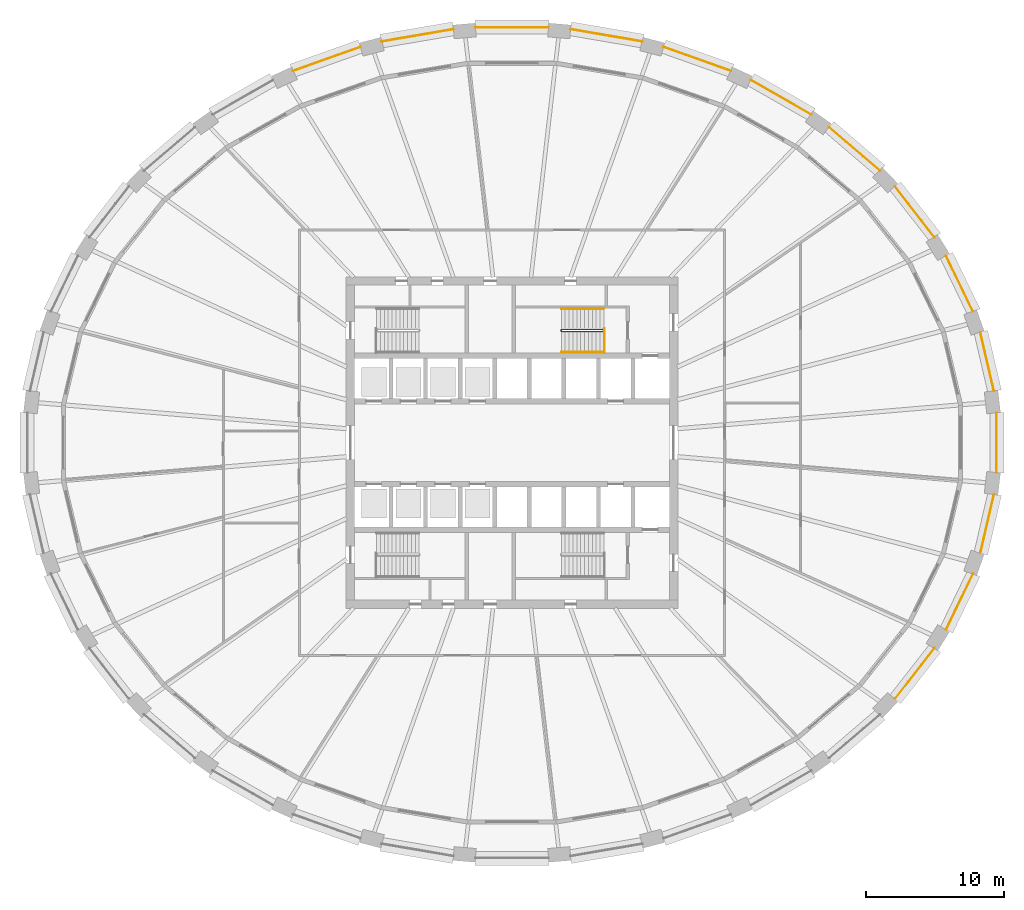
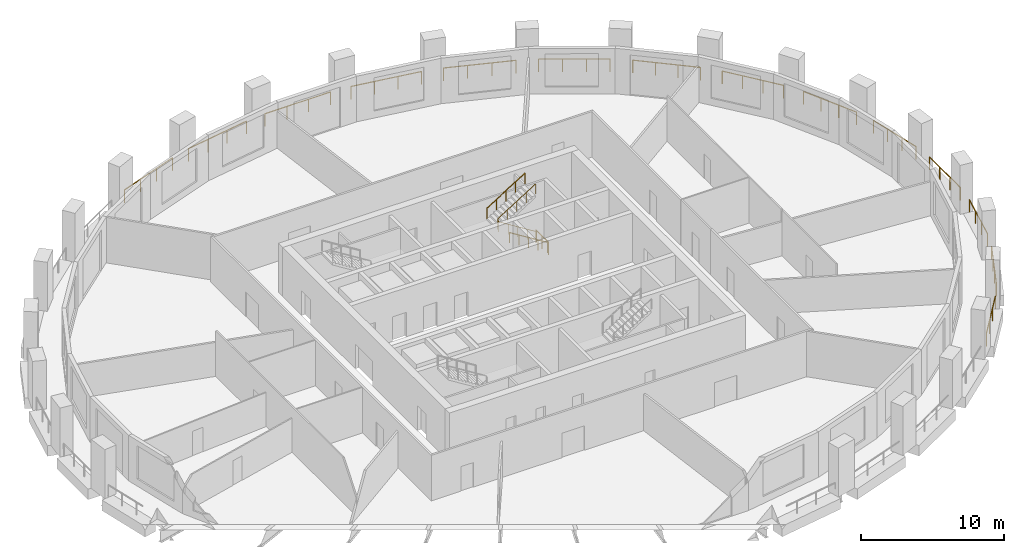
# One storey, part 9 of 10: 18 railings.
"""IFC4 building model written with IfcOpenShell, lengths in metres."""

import ifcopenshell
import ifcopenshell.guid

model = None  # the IFC model being written
_history = None  # IfcOwnerHistory: only IFC2X3 demands one
_inside = {}  # id of a spatial element -> (the spatial element, [elements in it])
_under = {}  # id of a project, library or spatial element -> (it, [spatial elements below it])
_declared = {}  # id of a project -> (the project, [libraries it declares])
_typed = {}  # id of a type object -> (the type object, [elements of that type])
_made_of = {}  # id of a material, layer set ... -> (it, [elements and type objects made of it])


def new_model(schema):
    """Start an empty IFC model of exactly this schema.

    Asked for "IFC4X3", IfcOpenShell would pick the latest addendum, in which some entities
    have other attributes; the version numbers below select the first issue.
    IFC2X3 requires an IfcOwnerHistory on every rooted entity: one is made here for all.
    """
    global model, _history
    if schema == "IFC4X3":
        model = ifcopenshell.file(schema_version=(4, 3, 0, 0))
    else:
        model = ifcopenshell.file(schema=schema)
    _inside.clear()
    _under.clear()
    _declared.clear()
    _typed.clear()
    _made_of.clear()
    _history = None
    if model.schema == "IFC2X3":
        org = make("IfcOrganization", Name="unknown")
        user = make(
            "IfcPersonAndOrganization",
            ThePerson=make("IfcPerson", FamilyName="unknown"),
            TheOrganization=org,
        )
        app = make(
            "IfcApplication",
            ApplicationDeveloper=org,
            Version="unknown",
            ApplicationFullName="unknown",
            ApplicationIdentifier="unknown",
        )
        _history = make(
            "IfcOwnerHistory",
            OwningUser=user,
            OwningApplication=app,
            ChangeAction="ADDED",
            CreationDate=0,
        )
    return model


def make(cls, **values):
    """One entity of the class cls with the attributes given. An attribute that is None is left unset."""
    return model.create_entity(
        cls, **{name: value for name, value in values.items() if value is not None}
    )


def rooted(cls, **values):
    """An entity with a GlobalId (a new one), such as an element, a storey or a relation."""
    return make(cls, GlobalId=ifcopenshell.guid.new(), OwnerHistory=_history, **values)


def si_unit(unit_type, name, prefix=None):
    """IfcSIUnit, for example si_unit("LENGTHUNIT", "METRE", prefix="MILLI")."""
    return make("IfcSIUnit", UnitType=unit_type, Prefix=prefix, Name=name)


def assignment(units):
    """IfcUnitAssignment: the units of a project."""
    return None if units is None else make("IfcUnitAssignment", Units=units)


def point(xyz):
    """IfcCartesianPoint."""
    return None if xyz is None else make("IfcCartesianPoint", Coordinates=xyz)


def direction(xyz):
    """IfcDirection."""
    return None if xyz is None else make("IfcDirection", DirectionRatios=xyz)


def frame(location, z_axis=None, x_axis=None):
    """IfcAxis2Placement3D, a coordinate frame: its origin and axes. An axis left out is left unset."""
    return make(
        "IfcAxis2Placement3D",
        Location=point(location),
        Axis=direction(z_axis),
        RefDirection=direction(x_axis),
    )


def frame_2d(location, x_axis=None):
    """IfcAxis2Placement2D, a coordinate frame in the plane: its origin and x axis."""
    return make(
        "IfcAxis2Placement2D", Location=point(location), RefDirection=direction(x_axis)
    )


def origin():
    """The frame at (0, 0, 0) with its axes left unset."""
    return frame((0.0, 0.0, 0.0))


def origin_2d():
    """The frame at (0, 0) in the plane with its x axis left unset."""
    return frame_2d((0.0, 0.0))


def place(relative_to, where):
    """IfcLocalPlacement: puts the frame where relative to a parent placement (None: the world)."""
    return make(
        "IfcLocalPlacement", PlacementRelTo=relative_to, RelativePlacement=where
    )


def context(
    kind, dimensions, precision=None, world=None, true_north=None, identifier=None
):
    """IfcGeometricRepresentationContext, for example the 3D "Model" context."""
    return make(
        "IfcGeometricRepresentationContext",
        ContextIdentifier=identifier,
        ContextType=kind,
        CoordinateSpaceDimension=dimensions,
        Precision=precision,
        WorldCoordinateSystem=world,
        TrueNorth=true_north,
    )


def subcontext(parent, identifier, kind, view, scale=None):
    """IfcGeometricRepresentationSubContext, for example "Body" below "Model"."""
    return make(
        "IfcGeometricRepresentationSubContext",
        ContextIdentifier=identifier,
        ContextType=kind,
        ParentContext=parent,
        TargetScale=scale,
        TargetView=view,
    )


def project(units=None, contexts=None):
    """IfcProject with its units and contexts."""
    return rooted(
        "IfcProject",
        Name="project",
        RepresentationContexts=contexts,
        UnitsInContext=assignment(units),
    )


def spatial(cls, under=None, at=None, **own):
    """A site, building, storey or space (cls), placed at a placement, below another one or the project."""
    s = rooted(cls, ObjectPlacement=at, **own)
    if under is not None:
        _under.setdefault(under.id(), (under, []))[1].append(s)
    return s


def profile(cls, at=None, kind="AREA", **sizes):
    """A parametric profile (cls). Its sizes go by their IFC names, for example OverallWidth=200.0."""
    return make(cls, ProfileType=kind, Position=at, **sizes)


def circle(**sizes):
    """IfcCircleProfileDef."""
    return profile("IfcCircleProfileDef", **sizes)


def extrude(swept, where, along, depth):
    """IfcExtrudedAreaSolid: the profile swept, set in the frame where, extruded along a direction by depth."""
    return make(
        "IfcExtrudedAreaSolid",
        SweptArea=swept,
        Position=where,
        ExtrudedDirection=direction(along),
        Depth=depth,
    )


def shape(context_of_items, identifier, shape_type, items):
    """IfcShapeRepresentation: the items that make up one representation, for example the "Body"."""
    return make(
        "IfcShapeRepresentation",
        ContextOfItems=context_of_items,
        RepresentationIdentifier=identifier,
        RepresentationType=shape_type,
        Items=items,
    )


def material(Name=None, Category=None):
    """IfcMaterial."""
    return make("IfcMaterial", Name=Name, Category=Category)


def made_of(thing, what):
    """Note that an element or type object is made of a material, layer set ...; save() writes the relation."""
    if what is not None:
        _made_of.setdefault(what.id(), (what, []))[1].append(thing)
    return thing


def type_object(cls, material=None, **own):
    """A type object (cls), such as IfcWallType, which elements share."""
    return made_of(rooted(cls, **own), material)


def element(
    cls,
    number,
    at=None,
    inside=None,
    cuts=None,
    type_object=None,
    material=None,
    context=None,
    identifier="Body",
    shape_type=None,
    held_by="IfcProductDefinitionShape",
    body=None,
    shapes=None,
    **own,
):
    """One element of the class cls, such as IfcWall. Its Tag is "e" and its number.

    at: its placement. inside: the storey or other place that contains it. cuts: it is an
    opening in that element (IfcRelVoidsElement). A single representation is given by context,
    identifier, shape_type and body (its items); several are given by shapes. held_by: the class
    of the entity that holds the representations. save() writes the other relations.
    """
    e = rooted(cls, Tag="e%d" % number, ObjectPlacement=at, **own)
    if body is not None:
        shapes = [shape(context, identifier, shape_type, body)]
    if shapes is not None:
        e.Representation = make(held_by, Representations=shapes)
    if inside is not None:
        _inside.setdefault(inside.id(), (inside, []))[1].append(e)
    if cuts is not None:
        rooted(
            "IfcRelVoidsElement", RelatingBuildingElement=cuts, RelatedOpeningElement=e
        )
    if type_object is not None:
        _typed.setdefault(type_object.id(), (type_object, []))[1].append(e)
    return made_of(e, material)


def aggregate(whole, parts):
    """IfcRelAggregates: a whole, such as a stair, and the parts it consists of."""
    return rooted("IfcRelAggregates", RelatingObject=whole, RelatedObjects=parts)


def save(model, path):
    """Write the relations noted so far, then the file.

    IfcRelAggregates (storeys below a building ...), IfcRelContainedInSpatialStructure (elements
    in a storey), IfcRelDefinesByType, IfcRelAssociatesMaterial and IfcRelDeclares: one each for
    every whole, place, type object, material and project.
    """
    for whole, parts in _under.values():
        aggregate(whole, parts)
    for where, things in _inside.values():
        rooted(
            "IfcRelContainedInSpatialStructure",
            RelatedElements=things,
            RelatingStructure=where,
        )
    for kind, things in _typed.values():
        rooted("IfcRelDefinesByType", RelatedObjects=things, RelatingType=kind)
    for what, things in _made_of.values():
        rooted("IfcRelAssociatesMaterial", RelatedObjects=things, RelatingMaterial=what)
    for by, libraries in _declared.values():
        rooted("IfcRelDeclares", RelatingContext=by, RelatedDefinitions=libraries)
    model.write(path)


model = new_model("IFC4")

# Units and contexts
model_context = context("Model", 3, precision=1e-05, world=origin(), true_north=direction((0.0, 1.0)))
body_context = subcontext(model_context, "Body", "Model", "MODEL_VIEW")
ifc_project = project(units=[si_unit("LENGTHUNIT", "METRE"), si_unit("AREAUNIT", "SQUARE_METRE"), si_unit("VOLUMEUNIT", "CUBIC_METRE"), si_unit("PLANEANGLEUNIT", "RADIAN"), si_unit("MASSUNIT", "GRAM", prefix="KILO")], contexts=[model_context])

# Site, building, storey
site_placement = place(None, origin())
site = spatial("IfcSite", under=ifc_project, at=site_placement, CompositionType="ELEMENT")
building_placement = place(site_placement, origin())
building = spatial("IfcBuilding", under=site, at=building_placement, Name="Halqa Exchange Tower", CompositionType="ELEMENT")
storey_placement = place(building_placement, frame((0.0, 0.0, 112.89990234375)))
storey = spatial("IfcBuildingStorey", under=building, at=storey_placement, Name="L25", CompositionType="ELEMENT", Elevation=112.89990234375)

# Railings
ifc_material = material(Name="Stainless steel", Category="steel")
railing_type_1 = type_object("IfcRailingType", Name="Guard 1100 stainless steel", PredefinedType="GUARDRAIL", material=ifc_material)
railing_1_placement = place(storey_placement, frame((34.894287109375, 3.740234375, 0.0)))
element("IfcRailing", 1, at=railing_1_placement, inside=storey, type_object=railing_type_1, Name="Loggia guard 1", PredefinedType="GUARDRAIL", context=body_context, shape_type="SweptSolid", body=[
    extrude(circle(Radius=0.02392578125, at=origin_2d()), frame((0.0, 0.0, 1.076171875), z_axis=(-0.226069025271, 0.974111285128, 0.0), x_axis=(-0.974111285128, -0.226069025271, 0.0)), (0.0, 0.0, 1.0), 4.363037109375),
    extrude(circle(Radius=0.02099609375, at=origin_2d()), origin(), (0.0, 0.0, 1.0), 1.052001953125),
    extrude(circle(Radius=0.02099609375, at=origin_2d()), frame((-0.328857421875, 1.416748046875, 0.0)), (0.0, 0.0, 1.0), 1.052001953125),
    extrude(circle(Radius=0.02099609375, at=origin_2d()), frame((-0.657470703125, 2.833251953125, 0.0)), (0.0, 0.0, 1.0), 1.052001953125),
    extrude(circle(Radius=0.02099609375, at=origin_2d()), frame((-0.986328125, 4.25, 0.0)), (0.0, 0.0, 1.0), 1.052001953125),
])
railing_2_placement = place(storey_placement, frame((33.37890625, 9.48974609375, 0.0)))
element("IfcRailing", 2, at=railing_2_placement, inside=storey, type_object=railing_type_1, Name="Loggia guard 2", PredefinedType="GUARDRAIL", context=body_context, shape_type="SweptSolid", body=[
    extrude(circle(Radius=0.02392578125, at=origin_2d()), frame((0.0, 0.0, 1.076171875), z_axis=(-0.435087610116, 0.900388122714, 0.0), x_axis=(-0.900388122714, -0.435087610116, 0.0)), (0.0, 0.0, 1.0), 4.476806640625),
    extrude(circle(Radius=0.02099609375, at=origin_2d()), origin(), (0.0, 0.0, 1.0), 1.052001953125),
    extrude(circle(Radius=0.02099609375, at=origin_2d()), frame((-0.649169921875, 1.343505859375, 0.0)), (0.0, 0.0, 1.0), 1.052001953125),
    extrude(circle(Radius=0.02099609375, at=origin_2d()), frame((-1.298583984375, 2.687255859375, 0.0)), (0.0, 0.0, 1.0), 1.052001953125),
    extrude(circle(Radius=0.02099609375, at=origin_2d()), frame((-1.94775390625, 4.03076171875, 0.0)), (0.0, 0.0, 1.0), 1.052001953125),
])
railing_3_placement = place(storey_placement, frame((30.59130859375, 14.87158203125, 0.0)))
element("IfcRailing", 3, at=railing_3_placement, inside=storey, type_object=railing_type_1, Name="Loggia guard 3", PredefinedType="GUARDRAIL", context=body_context, shape_type="SweptSolid", body=[
    extrude(circle(Radius=0.02392578125, at=origin_2d()), frame((0.0, 0.0, 1.076171875), z_axis=(-0.614810152043, 0.788675140311, 0.0), x_axis=(-0.788675140311, -0.614810152043, 0.0)), (0.0, 0.0, 1.0), 4.643798828125),
    extrude(circle(Radius=0.02099609375, at=origin_2d()), origin(), (0.0, 0.0, 1.0), 1.052001953125),
    extrude(circle(Radius=0.02099609375, at=origin_2d()), frame((-0.95166015625, 1.220703125, 0.0)), (0.0, 0.0, 1.0), 1.052001953125),
    extrude(circle(Radius=0.02099609375, at=origin_2d()), frame((-1.9033203125, 2.441650390625, 0.0)), (0.0, 0.0, 1.0), 1.052001953125),
    extrude(circle(Radius=0.02099609375, at=origin_2d()), frame((-2.85498046875, 3.662353515625, 0.0)), (0.0, 0.0, 1.0), 1.052001953125),
])
railing_4_placement = place(storey_placement, frame((26.63720703125, 19.685546875, 0.0)))
element("IfcRailing", 4, at=railing_4_placement, inside=storey, type_object=railing_type_1, Name="Loggia guard 4", PredefinedType="GUARDRAIL", context=body_context, shape_type="SweptSolid", body=[
    extrude(circle(Radius=0.02392578125, at=origin_2d()), frame((0.0, 0.0, 1.076171875), z_axis=(-0.759281553551, 0.65076226261, 0.0), x_axis=(-0.65076226261, -0.759281553551, 0.0)), (0.0, 0.0, 1.0), 4.834716796875),
    extrude(circle(Radius=0.02099609375, at=origin_2d()), origin(), (0.0, 0.0, 1.0), 1.052001953125),
    extrude(circle(Radius=0.02099609375, at=origin_2d()), frame((-1.2236328125, 1.048828125, 0.0)), (0.0, 0.0, 1.0), 1.052001953125),
    extrude(circle(Radius=0.02099609375, at=origin_2d()), frame((-2.447265625, 2.097412109375, 0.0)), (0.0, 0.0, 1.0), 1.052001953125),
    extrude(circle(Radius=0.02099609375, at=origin_2d()), frame((-3.6708984375, 3.146240234375, 0.0)), (0.0, 0.0, 1.0), 1.052001953125),
])
railing_5_placement = place(storey_placement, frame((21.664794921875, 23.75, 0.0)))
element("IfcRailing", 5, at=railing_5_placement, inside=storey, type_object=railing_type_1, Name="Loggia guard 5", PredefinedType="GUARDRAIL", context=body_context, shape_type="SweptSolid", body=[
    extrude(circle(Radius=0.02392578125, at=origin_2d()), frame((0.0, 0.0, 1.076171875), z_axis=(-0.86773991674, 0.497018547839, 0.0), x_axis=(-0.497018547839, -0.86773991674, 0.0)), (0.0, 0.0, 1.0), 5.020263671875),
    extrude(circle(Radius=0.02099609375, at=origin_2d()), origin(), (0.0, 0.0, 1.0), 1.052001953125),
    extrude(circle(Radius=0.02099609375, at=origin_2d()), frame((-1.4521484375, 0.831787109375, 0.0)), (0.0, 0.0, 1.0), 1.052001953125),
    extrude(circle(Radius=0.02099609375, at=origin_2d()), frame((-2.904052734375, 1.663330078125, 0.0)), (0.0, 0.0, 1.0), 1.052001953125),
    extrude(circle(Radius=0.02099609375, at=origin_2d()), frame((-4.356201171875, 2.4951171875, 0.0)), (0.0, 0.0, 1.0), 1.052001953125),
])
railing_6_placement = place(storey_placement, frame((15.8603515625, 26.91015625, 0.0)))
element("IfcRailing", 6, at=railing_6_placement, inside=storey, type_object=railing_type_1, Name="Loggia guard 6", PredefinedType="GUARDRAIL", context=body_context, shape_type="SweptSolid", body=[
    extrude(circle(Radius=0.02392578125, at=origin_2d()), frame((0.0, 0.0, 1.076171875), z_axis=(-0.942370162324, 0.334572080665, 0.0), x_axis=(-0.334572080665, -0.942370162324, 0.0)), (0.0, 0.0, 1.0), 5.173583984375),
    extrude(circle(Radius=0.02099609375, at=origin_2d()), origin(), (0.0, 0.0, 1.0), 1.052001953125),
    extrude(circle(Radius=0.02099609375, at=origin_2d()), frame((-1.625244140625, 0.576904296875, 0.0)), (0.0, 0.0, 1.0), 1.052001953125),
    extrude(circle(Radius=0.02099609375, at=origin_2d()), frame((-3.250244140625, 1.154052734375, 0.0)), (0.0, 0.0, 1.0), 1.052001953125),
    extrude(circle(Radius=0.02099609375, at=origin_2d()), frame((-4.87548828125, 1.73095703125, 0.0)), (0.0, 0.0, 1.0), 1.052001953125),
])
railing_7_placement = place(storey_placement, frame((9.4423828125, 29.043212890625, 0.0)))
element("IfcRailing", 7, at=railing_7_placement, inside=storey, type_object=railing_type_1, Name="Loggia guard 7", PredefinedType="GUARDRAIL", context=body_context, shape_type="SweptSolid", body=[
    extrude(circle(Radius=0.02392578125, at=origin_2d()), frame((0.0, 0.0, 1.076171875), z_axis=(-0.985774047585, 0.168075956366, 0.0), x_axis=(-0.168075956366, -0.985774047585, 0.0)), (0.0, 0.0, 1.0), 5.274169921875),
    extrude(circle(Radius=0.02099609375, at=origin_2d()), origin(), (0.0, 0.0, 1.0), 1.052001953125),
    extrude(circle(Radius=0.02099609375, at=origin_2d()), frame((-1.733154296875, 0.29541015625, 0.0)), (0.0, 0.0, 1.0), 1.052001953125),
    extrude(circle(Radius=0.02099609375, at=origin_2d()), frame((-3.466064453125, 0.591064453125, 0.0)), (0.0, 0.0, 1.0), 1.052001953125),
    extrude(circle(Radius=0.02099609375, at=origin_2d()), frame((-5.19921875, 0.886474609375, 0.0)), (0.0, 0.0, 1.0), 1.052001953125),
])
railing_8_placement = place(storey_placement, frame((2.654541015625, 30.064208984375, 0.0)))
element("IfcRailing", 8, at=railing_8_placement, inside=storey, type_object=railing_type_1, Name="Loggia guard 8", PredefinedType="GUARDRAIL", context=body_context, shape_type="SweptSolid", body=[
    extrude(circle(Radius=0.02392578125, at=origin_2d()), frame((0.0, 0.0, 1.076171875), z_axis=(-1.0, 0.0, 0.0), x_axis=(0.0, -1.0, 0.0)), (0.0, 0.0, 1.0), 5.30908203125),
    extrude(circle(Radius=0.02099609375, at=origin_2d()), origin(), (0.0, 0.0, 1.0), 1.052001953125),
    extrude(circle(Radius=0.02099609375, at=origin_2d()), frame((-1.769775390625, 0.0, 0.0)), (0.0, 0.0, 1.0), 1.052001953125),
    extrude(circle(Radius=0.02099609375, at=origin_2d()), frame((-3.539306640625, 0.0, 0.0)), (0.0, 0.0, 1.0), 1.052001953125),
    extrude(circle(Radius=0.02099609375, at=origin_2d()), frame((-5.30908203125, 0.0, 0.0)), (0.0, 0.0, 1.0), 1.052001953125),
])
railing_9_placement = place(storey_placement, frame((-4.2431640625, 29.9296875, 0.0)))
element("IfcRailing", 9, at=railing_9_placement, inside=storey, type_object=railing_type_1, Name="Loggia guard 9", PredefinedType="GUARDRAIL", context=body_context, shape_type="SweptSolid", body=[
    extrude(circle(Radius=0.02392578125, at=origin_2d()), frame((0.0, 0.0, 1.076171875), z_axis=(-0.985774047585, -0.168075956366, 0.0), x_axis=(0.168075956366, -0.985774047585, 0.0)), (0.0, 0.0, 1.0), 5.274169921875),
    extrude(circle(Radius=0.02099609375, at=origin_2d()), origin(), (0.0, 0.0, 1.0), 1.052001953125),
    extrude(circle(Radius=0.02099609375, at=origin_2d()), frame((-1.733154296875, -0.29541015625, 0.0)), (0.0, 0.0, 1.0), 1.052001953125),
    extrude(circle(Radius=0.02099609375, at=origin_2d()), frame((-3.466064453125, -0.591064453125, 0.0)), (0.0, 0.0, 1.0), 1.052001953125),
    extrude(circle(Radius=0.02099609375, at=origin_2d()), frame((-5.19921875, -0.886474609375, 0.0)), (0.0, 0.0, 1.0), 1.052001953125),
])
railing_10_placement = place(storey_placement, frame((-10.98486328125, 28.64111328125, 0.0)))
element("IfcRailing", 10, at=railing_10_placement, inside=storey, type_object=railing_type_1, Name="Loggia guard 10", PredefinedType="GUARDRAIL", context=body_context, shape_type="SweptSolid", body=[
    extrude(circle(Radius=0.02392578125, at=origin_2d()), frame((0.0, 0.0, 1.076171875), z_axis=(-0.942370162324, -0.334572080665, 0.0), x_axis=(0.334572080665, -0.942370162324, 0.0)), (0.0, 0.0, 1.0), 5.173583984375),
    extrude(circle(Radius=0.02099609375, at=origin_2d()), origin(), (0.0, 0.0, 1.0), 1.052001953125),
    extrude(circle(Radius=0.02099609375, at=origin_2d()), frame((-1.625244140625, -0.576904296875, 0.0)), (0.0, 0.0, 1.0), 1.052001953125),
    extrude(circle(Radius=0.02099609375, at=origin_2d()), frame((-3.250244140625, -1.154052734375, 0.0)), (0.0, 0.0, 1.0), 1.052001953125),
    extrude(circle(Radius=0.02099609375, at=origin_2d()), frame((-4.87548828125, -1.73095703125, 0.0)), (0.0, 0.0, 1.0), 1.052001953125),
])
railing_11_placement = place(storey_placement, frame((27.736328125, -18.533935546875, 0.0)))
element("IfcRailing", 11, at=railing_11_placement, inside=storey, type_object=railing_type_1, Name="Loggia guard 29", PredefinedType="GUARDRAIL", context=body_context, shape_type="SweptSolid", body=[
    extrude(circle(Radius=0.02392578125, at=origin_2d()), frame((0.0, 0.0, 1.076171875), z_axis=(0.614810152043, 0.788675140311, 0.0), x_axis=(-0.788675140311, 0.614810152043, 0.0)), (0.0, 0.0, 1.0), 4.643798828125),
    extrude(circle(Radius=0.02099609375, at=origin_2d()), origin(), (0.0, 0.0, 1.0), 1.052001953125),
    extrude(circle(Radius=0.02099609375, at=origin_2d()), frame((0.95166015625, 1.220703125, 0.0)), (0.0, 0.0, 1.0), 1.052001953125),
    extrude(circle(Radius=0.02099609375, at=origin_2d()), frame((1.9033203125, 2.441650390625, 0.0)), (0.0, 0.0, 1.0), 1.052001953125),
    extrude(circle(Radius=0.02099609375, at=origin_2d()), frame((2.85498046875, 3.662353515625, 0.0)), (0.0, 0.0, 1.0), 1.052001953125),
])
railing_12_placement = place(storey_placement, frame((31.43115234375, -13.5205078125, 0.0)))
element("IfcRailing", 12, at=railing_12_placement, inside=storey, type_object=railing_type_1, Name="Loggia guard 30", PredefinedType="GUARDRAIL", context=body_context, shape_type="SweptSolid", body=[
    extrude(circle(Radius=0.02392578125, at=origin_2d()), frame((0.0, 0.0, 1.076171875), z_axis=(0.435087610116, 0.900388122714, 0.0), x_axis=(-0.900388122714, 0.435087610116, 0.0)), (0.0, 0.0, 1.0), 4.476806640625),
    extrude(circle(Radius=0.02099609375, at=origin_2d()), origin(), (0.0, 0.0, 1.0), 1.052001953125),
    extrude(circle(Radius=0.02099609375, at=origin_2d()), frame((0.649169921875, 1.343505859375, 0.0)), (0.0, 0.0, 1.0), 1.052001953125),
    extrude(circle(Radius=0.02099609375, at=origin_2d()), frame((1.298583984375, 2.687255859375, 0.0)), (0.0, 0.0, 1.0), 1.052001953125),
    extrude(circle(Radius=0.02099609375, at=origin_2d()), frame((1.94775390625, 4.03076171875, 0.0)), (0.0, 0.0, 1.0), 1.052001953125),
])
railing_13_placement = place(storey_placement, frame((33.907958984375, -7.990234375, 0.0)))
element("IfcRailing", 13, at=railing_13_placement, inside=storey, type_object=railing_type_1, Name="Loggia guard 31", PredefinedType="GUARDRAIL", context=body_context, shape_type="SweptSolid", body=[
    extrude(circle(Radius=0.02392578125, at=origin_2d()), frame((0.0, 0.0, 1.076171875), z_axis=(0.226069025271, 0.974111285128, 0.0), x_axis=(-0.974111285128, 0.226069025271, 0.0)), (0.0, 0.0, 1.0), 4.363037109375),
    extrude(circle(Radius=0.02099609375, at=origin_2d()), origin(), (0.0, 0.0, 1.0), 1.052001953125),
    extrude(circle(Radius=0.02099609375, at=origin_2d()), frame((0.328857421875, 1.416748046875, 0.0)), (0.0, 0.0, 1.0), 1.052001953125),
    extrude(circle(Radius=0.02099609375, at=origin_2d()), frame((0.657470703125, 2.833251953125, 0.0)), (0.0, 0.0, 1.0), 1.052001953125),
    extrude(circle(Radius=0.02099609375, at=origin_2d()), frame((0.986328125, 4.25, 0.0)), (0.0, 0.0, 1.0), 1.052001953125),
])
railing_14_placement = place(storey_placement, frame((35.074951171875, -2.160888671875, 0.0)))
element("IfcRailing", 14, at=railing_14_placement, inside=storey, type_object=railing_type_1, Name="Loggia guard 32", PredefinedType="GUARDRAIL", context=body_context, shape_type="SweptSolid", body=[
    extrude(circle(Radius=0.02392578125, at=origin_2d()), frame((0.0, 0.0, 1.076171875), z_axis=(0.0, 1.0, 0.0), x_axis=(-1.0, 0.0, 0.0)), (0.0, 0.0, 1.0), 4.32177734375),
    extrude(circle(Radius=0.02099609375, at=origin_2d()), origin(), (0.0, 0.0, 1.0), 1.052001953125),
    extrude(circle(Radius=0.02099609375, at=origin_2d()), frame((0.0, 1.440673828125, 0.0)), (0.0, 0.0, 1.0), 1.052001953125),
    extrude(circle(Radius=0.02099609375, at=origin_2d()), frame((0.0, 2.881103515625, 0.0)), (0.0, 0.0, 1.0), 1.052001953125),
    extrude(circle(Radius=0.02099609375, at=origin_2d()), frame((0.0, 4.32177734375, 0.0)), (0.0, 0.0, 1.0), 1.052001953125),
])
railing_type_2 = type_object("IfcRailingType", Name="Stair handrail 900", PredefinedType="HANDRAIL", material=ifc_material)
railing_15_placement = place(storey_placement, frame((6.64990234375, 8.06005859375, 0.175048828125)))
element("IfcRailing", 15, at=railing_15_placement, inside=storey, type_object=railing_type_2, Name="Handrail ST2.1", PredefinedType="HANDRAIL", context=body_context, shape_type="SweptSolid", body=[
    extrude(circle(Radius=0.02392578125, at=origin_2d()), frame((0.0, 0.0, 0.8759765625), z_axis=(-0.847979421464, 0.0, 0.530029150871), x_axis=(0.0, -1.0, 0.0)), (0.0, 0.0, 1.0), 3.632080078125),
    extrude(circle(Radius=0.02392578125, at=origin_2d()), frame((-3.079833984375, 0.0, 2.80078125), z_axis=(0.0, 0.595870227118, 0.803080738428), x_axis=(-1.0, 0.0, 0.0)), (0.0, 0.0, 1.0), 0.218017578125),
    extrude(circle(Radius=0.02392578125, at=origin_2d()), frame((-3.079833984375, 0.1298828125, 2.97607421875), z_axis=(0.847979421464, 0.0, 0.530029150871), x_axis=(0.0, 1.0, 0.0)), (0.0, 0.0, 1.0), 3.632080078125),
    extrude(circle(Radius=0.02099609375, at=origin_2d()), origin(), (0.0, 0.0, 1.0), 0.851806640625),
    extrude(circle(Radius=0.02099609375, at=origin_2d()), frame((-0.77001953125, 0.0, 0.481201171875)), (0.0, 0.0, 1.0), 0.851806640625),
    extrude(circle(Radius=0.02099609375, at=origin_2d()), frame((-1.5400390625, 0.0, 0.96240234375)), (0.0, 0.0, 1.0), 0.851806640625),
    extrude(circle(Radius=0.02099609375, at=origin_2d()), frame((-2.309814453125, 0.0, 1.44384765625)), (0.0, 0.0, 1.0), 0.851806640625),
    extrude(circle(Radius=0.02099609375, at=origin_2d()), frame((-3.079833984375, 0.0, 1.925048828125)), (0.0, 0.0, 1.0), 0.851806640625),
    extrude(circle(Radius=0.02099609375, at=origin_2d()), frame((-3.079833984375, 0.1298828125, 2.10009765625)), (0.0, 0.0, 1.0), 0.851806640625),
    extrude(circle(Radius=0.02099609375, at=origin_2d()), frame((-2.309814453125, 0.1298828125, 2.581298828125)), (0.0, 0.0, 1.0), 0.851806640625),
    extrude(circle(Radius=0.02099609375, at=origin_2d()), frame((-1.5400390625, 0.1298828125, 3.0625)), (0.0, 0.0, 1.0), 0.851806640625),
    extrude(circle(Radius=0.02099609375, at=origin_2d()), frame((-0.77001953125, 0.1298828125, 3.5439453125)), (0.0, 0.0, 1.0), 0.851806640625),
    extrude(circle(Radius=0.02099609375, at=origin_2d()), frame((0.0, 0.1298828125, 4.025146484375)), (0.0, 0.0, 1.0), 0.851806640625),
])
railing_16_placement = place(storey_placement, frame((6.64990234375, 6.550048828125, 0.175048828125)))
element("IfcRailing", 16, at=railing_16_placement, inside=storey, type_object=railing_type_2, Name="Handrail ST2.2", PredefinedType="HANDRAIL", context=body_context, shape_type="SweptSolid", body=[
    extrude(circle(Radius=0.02392578125, at=origin_2d()), frame((0.0, 0.0, 0.8759765625), z_axis=(-0.847979421464, 0.0, 0.530029150871), x_axis=(0.0, -1.0, 0.0)), (0.0, 0.0, 1.0), 3.632080078125),
    extrude(circle(Radius=0.02099609375, at=origin_2d()), origin(), (0.0, 0.0, 1.0), 0.851806640625),
    extrude(circle(Radius=0.02099609375, at=origin_2d()), frame((-0.77001953125, 0.0, 0.481201171875)), (0.0, 0.0, 1.0), 0.851806640625),
    extrude(circle(Radius=0.02099609375, at=origin_2d()), frame((-1.5400390625, 0.0, 0.96240234375)), (0.0, 0.0, 1.0), 0.851806640625),
    extrude(circle(Radius=0.02099609375, at=origin_2d()), frame((-2.309814453125, 0.0, 1.44384765625)), (0.0, 0.0, 1.0), 0.851806640625),
    extrude(circle(Radius=0.02099609375, at=origin_2d()), frame((-3.079833984375, 0.0, 1.925048828125)), (0.0, 0.0, 1.0), 0.851806640625),
])
railing_17_placement = place(storey_placement, frame((3.570068359375, 9.699951171875, 2.275146484375)))
element("IfcRailing", 17, at=railing_17_placement, inside=storey, type_object=railing_type_2, Name="Handrail ST2.3", PredefinedType="HANDRAIL", context=body_context, shape_type="SweptSolid", body=[
    extrude(circle(Radius=0.02392578125, at=origin_2d()), frame((0.0, 0.0, 0.8759765625), z_axis=(0.847979421464, 0.0, 0.530029150871), x_axis=(0.0, 1.0, 0.0)), (0.0, 0.0, 1.0), 3.632080078125),
    extrude(circle(Radius=0.02099609375, at=origin_2d()), origin(), (0.0, 0.0, 1.0), 0.851806640625),
    extrude(circle(Radius=0.02099609375, at=origin_2d()), frame((0.77001953125, 0.0, 0.481201171875)), (0.0, 0.0, 1.0), 0.851806640625),
    extrude(circle(Radius=0.02099609375, at=origin_2d()), frame((1.5400390625, 0.0, 0.96240234375)), (0.0, 0.0, 1.0), 0.851806640625),
    extrude(circle(Radius=0.02099609375, at=origin_2d()), frame((2.309814453125, 0.0, 1.44384765625)), (0.0, 0.0, 1.0), 0.851806640625),
    extrude(circle(Radius=0.02099609375, at=origin_2d()), frame((3.079833984375, 0.0, 1.925048828125)), (0.0, 0.0, 1.0), 0.851806640625),
])
railing_type_3 = type_object("IfcRailingType", Name="Stair well guard 1100", PredefinedType="GUARDRAIL", material=ifc_material)
railing_18_placement = place(storey_placement, frame((6.699951171875, 6.5, 0.0)))
element("IfcRailing", 18, at=railing_18_placement, inside=storey, type_object=railing_type_3, Name="Guard ST2 well", PredefinedType="GUARDRAIL", context=body_context, shape_type="SweptSolid", body=[
    extrude(circle(Radius=0.02392578125, at=origin_2d()), frame((0.0, 0.0, 1.076171875), z_axis=(0.0, 1.0, 0.0), x_axis=(-1.0, 0.0, 0.0)), (0.0, 0.0, 1.0), 1.75),
    extrude(circle(Radius=0.02099609375, at=origin_2d()), origin(), (0.0, 0.0, 1.0), 1.052001953125),
    extrude(circle(Radius=0.02099609375, at=origin_2d()), frame((0.0, 0.875, 0.0)), (0.0, 0.0, 1.0), 1.052001953125),
    extrude(circle(Radius=0.02099609375, at=origin_2d()), frame((0.0, 1.75, 0.0)), (0.0, 0.0, 1.0), 1.052001953125),
])

save(model, "model.ifc")
